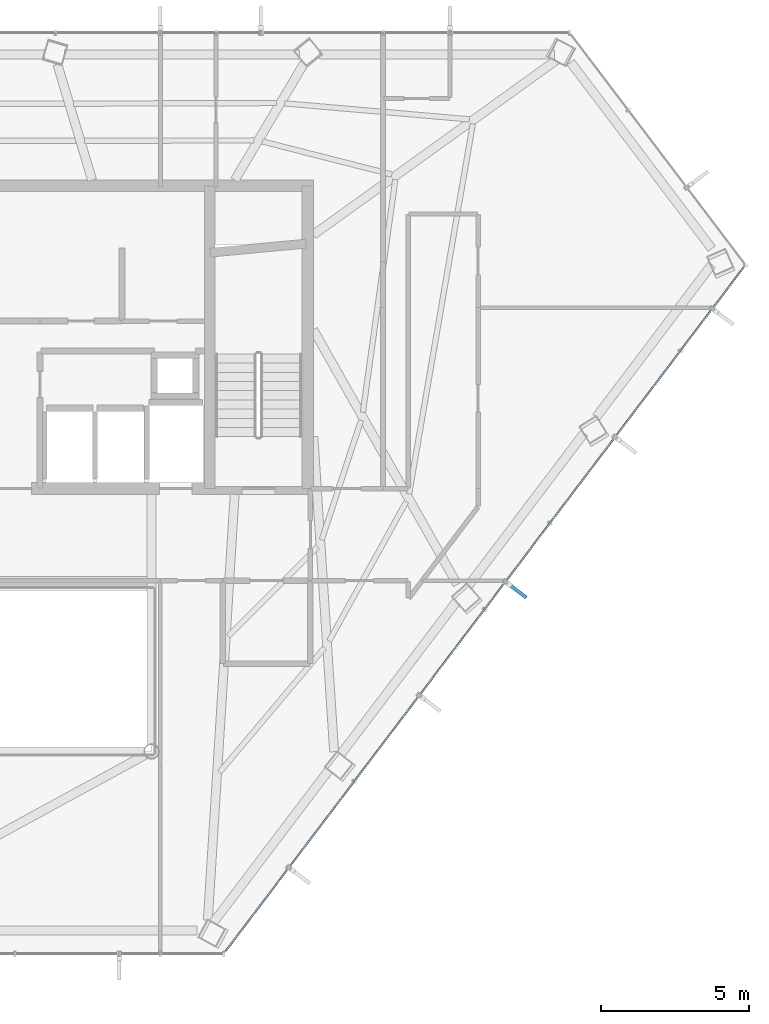
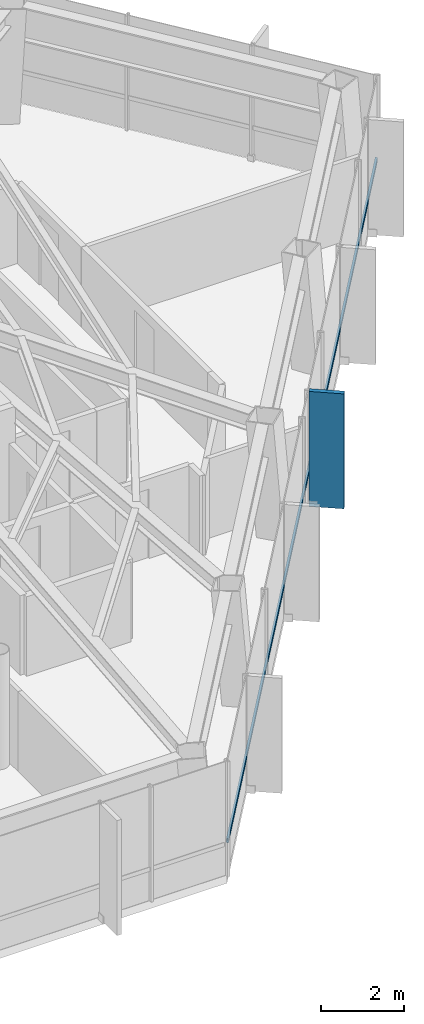
# One storey, part 18 of 28: 2 members, 1 element without a shape of its own.
"""IFC4 building model written with IfcOpenShell, lengths in metres."""

from ifc_helpers import new_model, si_unit, direction, frame, origin, origin_2d, place, context, subcontext, project, spatial, rectangle, hollow_rectangle, extrude, material, layer, layer_set, material_profile, profile_set, type_object, element, aggregate, save


model = new_model("IFC4")

# Units and contexts
model_context = context("Model", 3, precision=1e-05, world=origin(), true_north=direction((0.0, 1.0)))
body_context = subcontext(model_context, "Body", "Model", "MODEL_VIEW")
ifc_project = project(units=[si_unit("LENGTHUNIT", "METRE"), si_unit("AREAUNIT", "SQUARE_METRE"), si_unit("VOLUMEUNIT", "CUBIC_METRE"), si_unit("PLANEANGLEUNIT", "RADIAN"), si_unit("MASSUNIT", "GRAM", prefix="KILO")], contexts=[model_context])

# Site, building, storey
site_placement = place(None, origin())
site = spatial("IfcSite", under=ifc_project, at=site_placement, CompositionType="ELEMENT")
building_placement = place(site_placement, origin())
building = spatial("IfcBuilding", under=site, at=building_placement, Name="Zarrinselat Tower", CompositionType="ELEMENT")
storey_placement = place(building_placement, frame((0.0, 0.0, 190.739990234375)))
storey = spatial("IfcBuildingStorey", under=building, at=storey_placement, Name="L47", CompositionType="ELEMENT", Elevation=190.739990234375)

# Curtain wall, members
ifc_material_1 = material(Name="Extruded Aluminium Alloy EN AW-6063 T6", Category="aluminium")
ifc_layer = layer(ifc_material_1, 0.175048828125)
ifc_layer_set = layer_set([ifc_layer], Name="Extruded Aluminium Alloy EN AW-6063 T6")
curtain_wall_type = type_object("IfcCurtainWallType", Name="CWS-HTL", PredefinedType="NOTDEFINED", material=ifc_layer_set)
curtain_wall_placement = place(storey_placement, origin())
curtain_wall = element("IfcCurtainWall", 1, at=curtain_wall_placement, inside=storey, type_object=curtain_wall_type, Name="L47 Unitised Curtain Wall CW-L47-E05", PredefinedType="NOTDEFINED")
ifc_material_2 = material(Name="Extruded Aluminium Alloy EN AW-6063 T6", Category="aluminium")
ifc_material_profile_1 = material_profile(ifc_material_2, hollow_rectangle(XDim=0.06005859375, YDim=0.1201171875, WallThickness=0.00390625, at=origin_2d()), Name="RHS 120x60x4")
ifc_profile_set_1 = profile_set([ifc_material_profile_1], Name="Extruded Aluminium Alloy EN AW-6063 T6")
member_type_1 = type_object("IfcMemberType", Name="MEM-CW-TRN2", PredefinedType="USERDEFINED", material=ifc_profile_set_1)
member_1_placement = place(storey_placement, frame((45.48486328125, 17.660888671875, 0.949951171875), z_axis=(0.603859475595, 0.797090793909, 0.0), x_axis=(-0.797090793909, 0.603859475595, 0.0)))
member_1 = element("IfcMember", 2, at=member_1_placement, type_object=member_type_1, Name="CW-L47-E05 Transom 1", ObjectType="TRANSOM", PredefinedType="USERDEFINED", context=body_context, shape_type="SweptSolid", body=[
    extrude(hollow_rectangle(XDim=0.06005859375, YDim=0.1201171875, WallThickness=0.00390625, at=origin_2d()), origin(), (0.0, 0.0, 1.0), 28.924560546875),
])
ifc_material_3 = material(Name="Honed Cream Travertine Stone", Category="masonry")
ifc_material_profile_2 = material_profile(ifc_material_3, rectangle(XDim=0.1201171875, YDim=0.85009765625, at=origin_2d()), Name="FIN 850x120")
ifc_profile_set_2 = profile_set([ifc_material_profile_2], Name="Honed Cream Travertine Stone")
member_type_2 = type_object("IfcMemberType", Name="MEM-STONE-FIN", PredefinedType="USERDEFINED", material=ifc_profile_set_2)
member_2_placement = place(storey_placement, frame((55.285400390625, 29.8359375, 0.0), z_axis=(0.0, 0.0, 1.0), x_axis=(-0.603856629551, -0.797092950005, 0.0)))
member_2 = element("IfcMember", 3, at=member_2_placement, type_object=member_type_2, Name="L47 Stone Shading Fin CW-L47-E05-05", ObjectType="FIN", PredefinedType="USERDEFINED", context=body_context, shape_type="SweptSolid", body=[
    extrude(rectangle(XDim=0.1201171875, YDim=0.85009765625, at=origin_2d()), origin(), (0.0, 0.0, 1.0), 3.389892578125),
])
aggregate(curtain_wall, [member_2, member_1])

save(model, "model.ifc")
